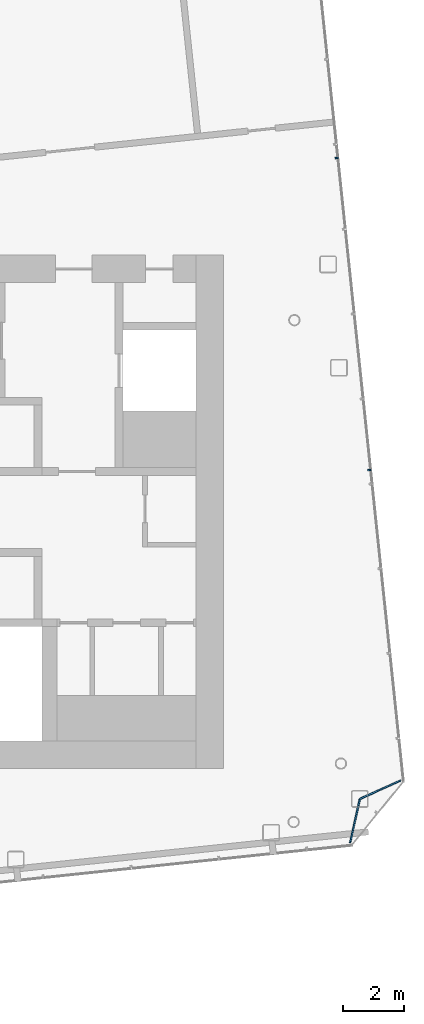
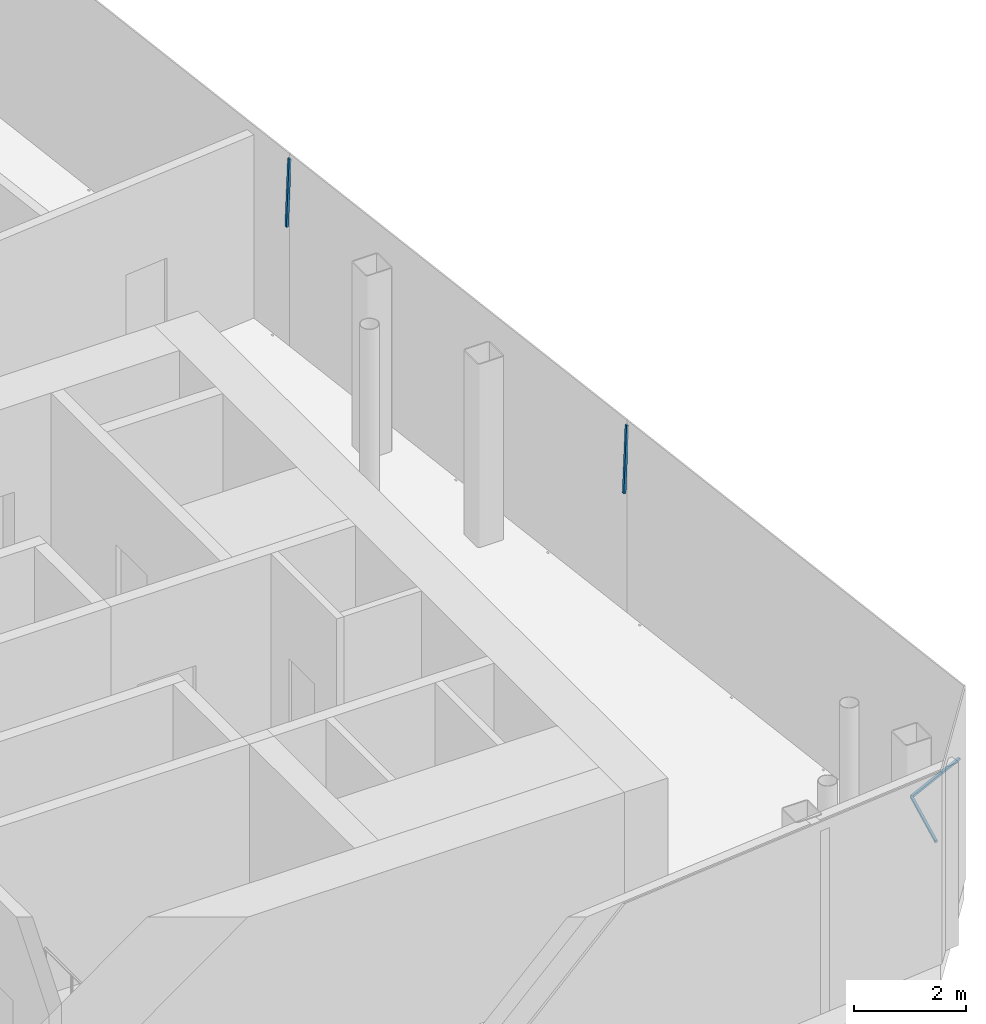
# One storey, part 14 of 28: 4 discrete accessories.
"""IFC4 building model written with IfcOpenShell, lengths in metres."""

from ifc_helpers import new_model, si_unit, direction, frame, origin, origin_2d, place, context, subcontext, project, spatial, rectangle, extrude, material, material_profile, profile_set, type_object, element, save


model = new_model("IFC4")

# Units and contexts
model_context = context("Model", 3, precision=1e-05, world=origin(), true_north=direction((0.0, 1.0)))
body_context = subcontext(model_context, "Body", "Model", "MODEL_VIEW")
ifc_project = project(units=[si_unit("LENGTHUNIT", "METRE"), si_unit("AREAUNIT", "SQUARE_METRE"), si_unit("VOLUMEUNIT", "CUBIC_METRE"), si_unit("PLANEANGLEUNIT", "RADIAN"), si_unit("MASSUNIT", "GRAM", prefix="KILO")], contexts=[model_context])

# Site, building, storey
site_placement = place(None, origin())
site = spatial("IfcSite", under=ifc_project, at=site_placement, CompositionType="ELEMENT")
building_placement = place(site_placement, origin())
building = spatial("IfcBuilding", under=site, at=building_placement, Name="Hakoniwa Tower and Hamabe Station Hall", CompositionType="ELEMENT")
storey_placement = place(building_placement, frame((0.0, 0.0, 280.800048828125)))
storey = spatial("IfcBuildingStorey", under=building, at=storey_placement, Name="L78", CompositionType="ELEMENT", Elevation=280.800048828125)

# Discrete accessories
ifc_material = material(Name="Stainless steel SUS304", Category="steel")
ifc_material_profile = material_profile(ifc_material, rectangle(XDim=0.050048828125, YDim=0.050048828125, at=origin_2d()), Name="CW-4 GLAZING BRACKET 50X50")
ifc_profile_set = profile_set([ifc_material_profile], Name="Stainless steel SUS304")
discrete_accessory_type = type_object("IfcDiscreteAccessoryType", Name="CW-4 GLAZING BRACKET 50X50", PredefinedType="BRACKET", material=ifc_profile_set)
discrete_accessory_1_placement = place(storey_placement, frame((37.265625, 11.574951171875, 2.63330078125), z_axis=(0.040585429987, 0.004324676966, 0.999166712837), x_axis=(-0.105957528947, 0.994370656274, 0.0)))
element("IfcDiscreteAccessory", 1, at=discrete_accessory_1_placement, inside=storey, type_object=discrete_accessory_type, Name="Glazing bracket", PredefinedType="BRACKET", context=body_context, shape_type="SweptSolid", body=[
    extrude(rectangle(XDim=0.050048828125, YDim=0.050048828125, at=origin_2d()), origin(), (0.0, 0.0, 1.0), 1.4677734375),
])
discrete_accessory_2_placement = place(storey_placement, frame((37.737060546875, -10.820556640625, 2.63330078125), z_axis=(0.216648119974, 0.976249759084, 0.0), x_axis=(-0.976249759084, 0.216648119974, 0.0)))
element("IfcDiscreteAccessory", 2, at=discrete_accessory_2_placement, inside=storey, type_object=discrete_accessory_type, Name="Glazing bracket", PredefinedType="BRACKET", context=body_context, shape_type="SweptSolid", body=[
    extrude(rectangle(XDim=0.050048828125, YDim=0.050048828125, at=origin_2d()), origin(), (0.0, 0.0, 1.0), 1.465087890625),
])
discrete_accessory_3_placement = place(storey_placement, frame((38.338134765625, 1.371337890625, 2.63330078125), z_axis=(0.04058545862, 0.00415834617, 0.999167417756), x_axis=(-0.101925414299, 0.994792043555, 0.0)))
element("IfcDiscreteAccessory", 3, at=discrete_accessory_3_placement, inside=storey, type_object=discrete_accessory_type, Name="Glazing bracket", PredefinedType="BRACKET", context=body_context, shape_type="SweptSolid", body=[
    extrude(rectangle(XDim=0.050048828125, YDim=0.050048828125, at=origin_2d()), origin(), (0.0, 0.0, 1.0), 1.4677734375),
])
discrete_accessory_4_placement = place(storey_placement, frame((39.38427734375, -8.7890625, 2.63330078125), z_axis=(-0.911178206859, -0.412012469891, 0.0), x_axis=(0.412012469891, -0.911178206859, 0.0)))
element("IfcDiscreteAccessory", 4, at=discrete_accessory_4_placement, inside=storey, type_object=discrete_accessory_type, Name="Glazing bracket", PredefinedType="BRACKET", context=body_context, shape_type="SweptSolid", body=[
    extrude(rectangle(XDim=0.050048828125, YDim=0.050048828125, at=origin_2d()), origin(), (0.0, 0.0, 1.0), 1.45947265625),
])

save(model, "model.ifc")
